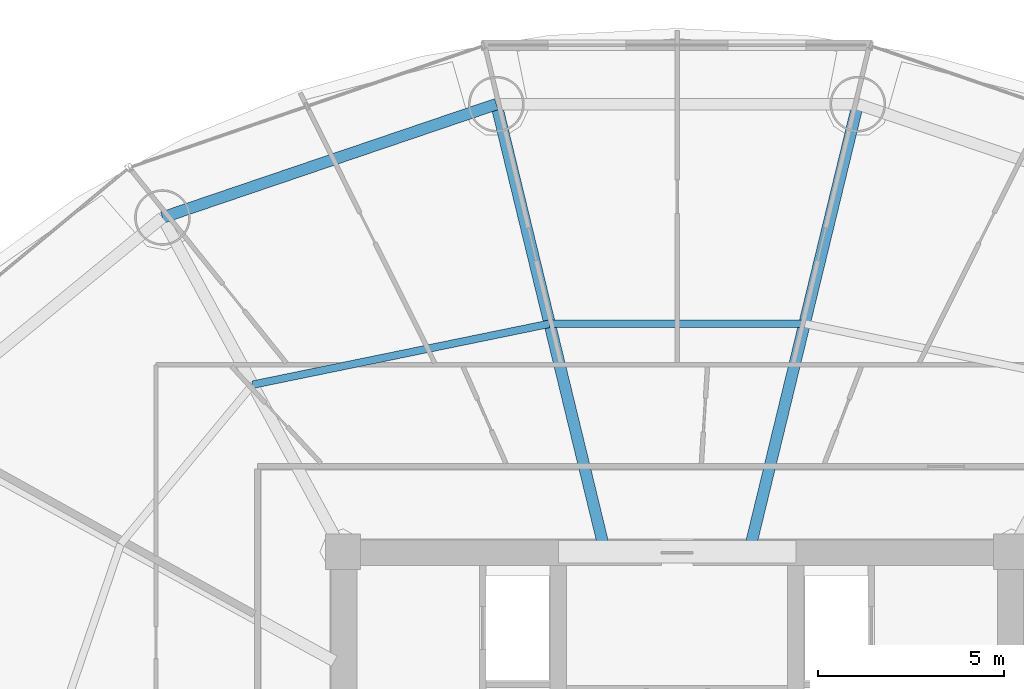
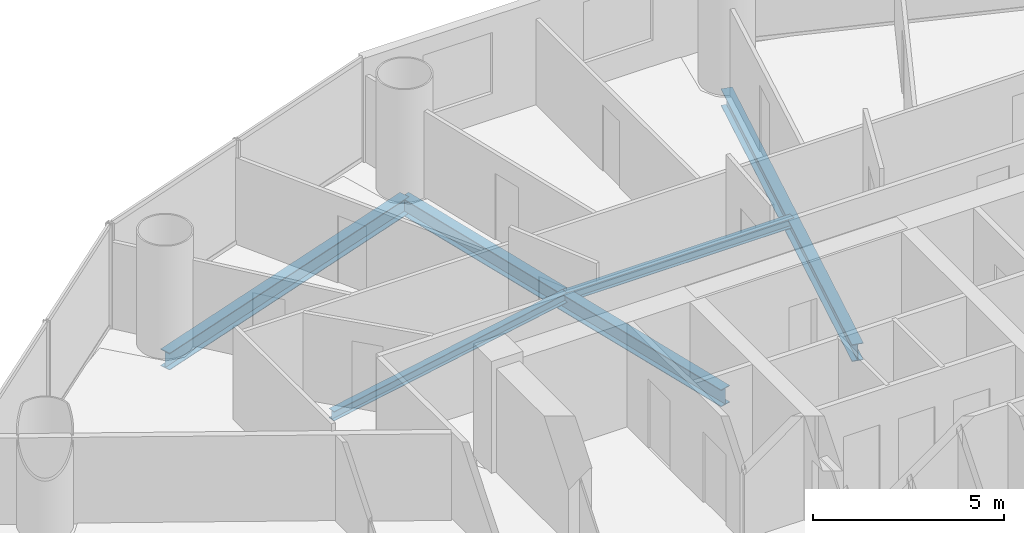
# One storey, part 17 of 29: 5 beams.
"""IFC4 building model written with IfcOpenShell, lengths in metres."""

from ifc_helpers import new_model, si_unit, direction, frame, origin, origin_2d, place, context, subcontext, project, spatial, i_section, extrude, material, material_profile, profile_set, type_object, element, save


model = new_model("IFC4")

# Units and contexts
model_context = context("Model", 3, precision=1e-05, world=origin(), true_north=direction((-0.2419218956, 0.970295726276)))
body_context = subcontext(model_context, "Body", "Model", "MODEL_VIEW")
ifc_project = project(units=[si_unit("LENGTHUNIT", "METRE"), si_unit("AREAUNIT", "SQUARE_METRE"), si_unit("VOLUMEUNIT", "CUBIC_METRE"), si_unit("PLANEANGLEUNIT", "RADIAN"), si_unit("MASSUNIT", "GRAM", prefix="KILO")], contexts=[model_context])

# Site, building, storey
site_placement = place(None, origin())
site = spatial("IfcSite", under=ifc_project, at=site_placement, CompositionType="ELEMENT")
building_placement = place(site_placement, origin())
building = spatial("IfcBuilding", under=site, at=building_placement, Name="Cobrevalo Terracotta Tower", CompositionType="ELEMENT")
storey_placement = place(building_placement, frame((0.0, 0.0, 90.60009765625)))
storey = spatial("IfcBuildingStorey", under=building, at=storey_placement, Name="L23", CompositionType="ELEMENT", Elevation=90.60009765625)

# Beams
ifc_material = material(Name="Steel S355", Category="steel")
ifc_material_profile_1 = material_profile(ifc_material, i_section(OverallWidth=0.31201171875, OverallDepth=0.54296875, WebThickness=0.0126953125, FlangeThickness=0.020263671875, at=origin_2d()), Name="W 530x150")
ifc_profile_set_1 = profile_set([ifc_material_profile_1], Name="Steel S355")
beam_type_1 = type_object("IfcBeamType", Name="Structural Beam W 530x150 (Steel S355)", PredefinedType="BEAM", material=ifc_profile_set_1)
for number, where, z_axis, x_axis, name in (
    (1, (42.867431640625, 46.857177734375, -0.546630859375), (-0.235827379387, -0.971794961467, 0.0), (0.971794961467, -0.235827379387, 0.0), "L23 radial floor girder 04"),
    (2, (33.132568359375, 46.857177734375, -0.546630859375), (0.235827379387, -0.971794961467, 0.0), (0.971794961467, 0.235827379387, 0.0), "L23 radial floor girder 05"),
):
    element("IfcBeam", number, at=place(storey_placement, frame(where, z_axis=z_axis, x_axis=x_axis)), inside=storey, type_object=beam_type_1, Name=name, PredefinedType="BEAM", context=body_context, shape_type="SweptSolid", body=[
        extrude(i_section(OverallWidth=0.31201171875, OverallDepth=0.54296875, WebThickness=0.0126953125, FlangeThickness=0.020263671875, at=origin_2d()), origin(), (0.0, 0.0, 1.0), 12.17041015625),
    ])
ifc_material_profile_2 = material_profile(ifc_material, i_section(OverallWidth=0.2041015625, OverallDepth=0.305908203125, WebThickness=0.008544921875, FlangeThickness=0.0146484375, at=origin_2d()), Name="W 310x67")
ifc_profile_set_2 = profile_set([ifc_material_profile_2], Name="Steel S355")
beam_type_2 = type_object("IfcBeamType", Name="Structural Joist W 310x67 (Steel S355)", PredefinedType="JOIST", material=ifc_profile_set_2)
beam_1_placement = place(storey_placement, frame((41.432373046875, 40.943603515625, -0.427978515625), z_axis=(-1.0, 0.0, 0.0), x_axis=(0.0, -1.0, 0.0)))
element("IfcBeam", 3, at=beam_1_placement, inside=storey, type_object=beam_type_2, Name="L23 circumferential secondary floor joist 04", PredefinedType="JOIST", context=body_context, shape_type="SweptSolid", body=[
    extrude(i_section(OverallWidth=0.2041015625, OverallDepth=0.305908203125, WebThickness=0.008544921875, FlangeThickness=0.0146484375, at=origin_2d()), origin(), (0.0, 0.0, 1.0), 6.86474609375),
])
beam_2_placement = place(storey_placement, frame((34.567626953125, 40.943603515625, -0.427978515625), z_axis=(-0.979574469315, -0.201081722357, 0.0), x_axis=(0.201081722357, -0.979574469315, 0.0)))
element("IfcBeam", 4, at=beam_2_placement, inside=storey, type_object=beam_type_2, Name="L23 circumferential secondary floor joist 05", PredefinedType="JOIST", context=body_context, shape_type="SweptSolid", body=[
    extrude(i_section(OverallWidth=0.2041015625, OverallDepth=0.305908203125, WebThickness=0.008544921875, FlangeThickness=0.0146484375, at=origin_2d()), origin(), (0.0, 0.0, 1.0), 8.1650390625),
])
ifc_material_profile_3 = material_profile(ifc_material, i_section(OverallWidth=0.31201171875, OverallDepth=0.54296875, WebThickness=0.0126953125, FlangeThickness=0.020263671875, at=origin_2d()), Name="W 530x150")
ifc_profile_set_3 = profile_set([ifc_material_profile_3], Name="Steel S355")
beam_type_3 = type_object("IfcBeamType", Name="Structural Spandrel W 530x150 (Steel S355)", PredefinedType="SPANDREL", material=ifc_profile_set_3)
beam_3_placement = place(storey_placement, frame((33.132568359375, 46.857177734375, -0.546630859375), z_axis=(-0.946910528816, -0.32149720126, 0.0), x_axis=(0.32149720126, -0.946910528816, 0.0)))
element("IfcBeam", 5, at=beam_3_placement, inside=storey, type_object=beam_type_3, Name="L23 perimeter ring spandrel 05", PredefinedType="SPANDREL", context=body_context, shape_type="SweptSolid", body=[
    extrude(i_section(OverallWidth=0.31201171875, OverallDepth=0.54296875, WebThickness=0.0126953125, FlangeThickness=0.020263671875, at=origin_2d()), origin(), (0.0, 0.0, 1.0), 9.498291015625),
])

save(model, "model.ifc")
